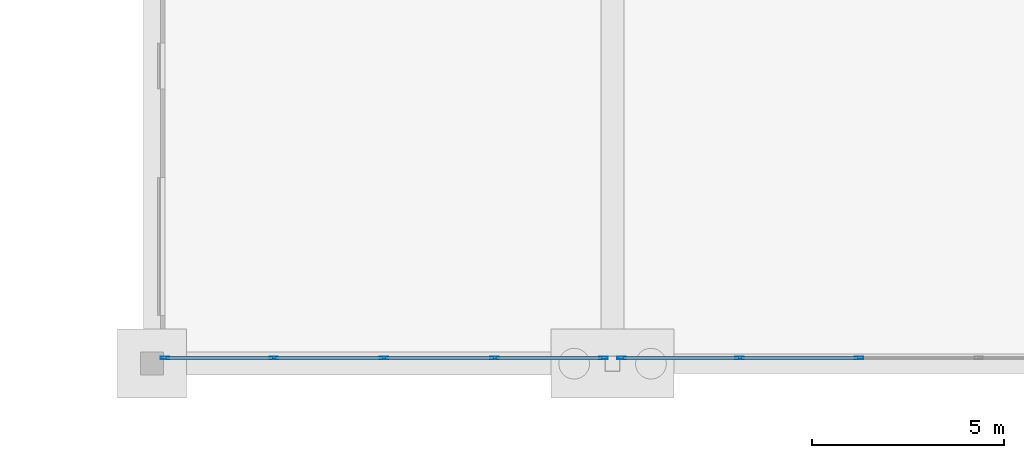
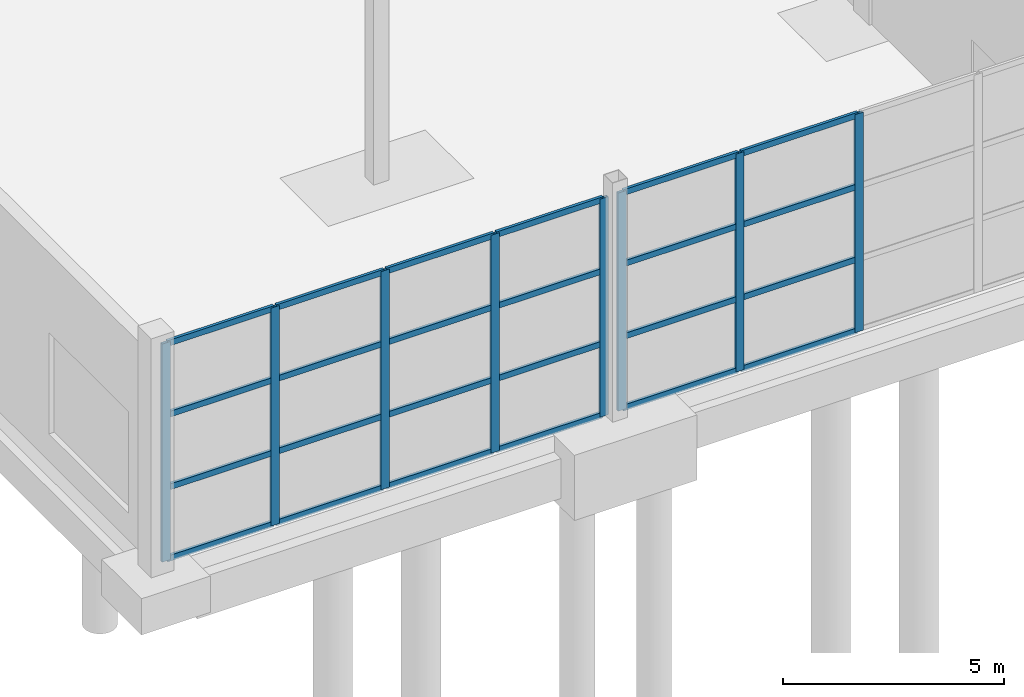
# One storey, part 65 of 115: 32 members, 2 elements without a shape of their own.
"""IFC4 building model written with IfcOpenShell, lengths in metres."""

from ifc_helpers import new_model, si_unit, direction, frame, origin, origin_2d, place, context, subcontext, project, spatial, hollow_rectangle, extrude, material, layer, layer_set, material_profile, profile_set, type_object, element, aggregate, save


model = new_model("IFC4")

# Units and contexts
model_context = context("Model", 3, precision=1e-05, world=origin(), true_north=direction((0.0, 1.0)))
body_context = subcontext(model_context, "Body", "Model", "MODEL_VIEW")
ifc_project = project(units=[si_unit("LENGTHUNIT", "METRE"), si_unit("AREAUNIT", "SQUARE_METRE"), si_unit("VOLUMEUNIT", "CUBIC_METRE"), si_unit("PLANEANGLEUNIT", "RADIAN"), si_unit("MASSUNIT", "GRAM", prefix="KILO")], contexts=[model_context])

# Site, building, storey
site_placement = place(None, origin())
site = spatial("IfcSite", under=ifc_project, at=site_placement, CompositionType="ELEMENT")
building_placement = place(site_placement, origin())
building = spatial("IfcBuilding", under=site, at=building_placement, Name="Tamarisk Ironworks Central Station", CompositionType="ELEMENT")
storey_placement = place(building_placement, origin())
storey = spatial("IfcBuildingStorey", under=building, at=storey_placement, Name="L00", CompositionType="ELEMENT", Elevation=0.0)

# Curtain wall, members
ifc_material = material(Name="Anodized aluminium alloy 6063-T6", Category="aluminium")
ifc_layer = layer(ifc_material, 0.179931640625)
ifc_layer_set = layer_set([ifc_layer], Name="Anodized aluminium alloy 6063-T6")
curtain_wall_type = type_object("IfcCurtainWallType", Name="CW-15", PredefinedType="USERDEFINED", material=ifc_layer_set)
curtain_wall_1_placement = place(storey_placement, origin())
curtain_wall_1 = element("IfcCurtainWall", 1, at=curtain_wall_1_placement, inside=storey, type_object=curtain_wall_type, Name="South-east annex L00 curtain wall 128", ObjectType="GLAZED CURTAIN WALL", PredefinedType="USERDEFINED")
ifc_material_profile_1 = material_profile(ifc_material, hollow_rectangle(XDim=0.074951171875, YDim=0.219970703125, WallThickness=0.00390625, at=origin_2d()), Name="ALUM 220x75")
ifc_profile_set_1 = profile_set([ifc_material_profile_1], Name="Anodized aluminium alloy 6063-T6")
member_type_1 = type_object("IfcMemberType", Name="CWM-01", PredefinedType="MULLION", material=ifc_profile_set_1)
member_1_placement = place(storey_placement, frame((128.33544921875, 0.14990234375, 0.0), z_axis=(0.0, 0.0, 1.0), x_axis=(0.0, 1.0, 0.0)))
member_1 = element("IfcMember", 2, at=member_1_placement, type_object=member_type_1, Name="CW15 mullion 1", PredefinedType="MULLION", context=body_context, shape_type="SweptSolid", body=[
    extrude(hollow_rectangle(XDim=0.074951171875, YDim=0.219970703125, WallThickness=0.00390625, at=origin_2d()), origin(), (0.0, 0.0, 1.0), 6.02001953125),
])
member_2_placement = place(storey_placement, frame((131.174072265625, 0.14990234375, 0.0), z_axis=(0.0, 0.0, 1.0), x_axis=(0.0, 1.0, 0.0)))
member_2 = element("IfcMember", 3, at=member_2_placement, type_object=member_type_1, Name="CW15 mullion 2", PredefinedType="MULLION", context=body_context, shape_type="SweptSolid", body=[
    extrude(hollow_rectangle(XDim=0.074951171875, YDim=0.219970703125, WallThickness=0.00390625, at=origin_2d()), origin(), (0.0, 0.0, 1.0), 6.02001953125),
])
member_3_placement = place(storey_placement, frame((134.050048828125, 0.14990234375, 0.0), z_axis=(0.0, 0.0, 1.0), x_axis=(0.0, 1.0, 0.0)))
member_3 = element("IfcMember", 4, at=member_3_placement, type_object=member_type_1, Name="CW15 mullion 3", PredefinedType="MULLION", context=body_context, shape_type="SweptSolid", body=[
    extrude(hollow_rectangle(XDim=0.074951171875, YDim=0.219970703125, WallThickness=0.00390625, at=origin_2d()), origin(), (0.0, 0.0, 1.0), 6.02001953125),
])
member_4_placement = place(storey_placement, frame((136.926025390625, 0.14990234375, 0.0), z_axis=(0.0, 0.0, 1.0), x_axis=(0.0, 1.0, 0.0)))
member_4 = element("IfcMember", 5, at=member_4_placement, type_object=member_type_1, Name="CW15 mullion 4", PredefinedType="MULLION", context=body_context, shape_type="SweptSolid", body=[
    extrude(hollow_rectangle(XDim=0.074951171875, YDim=0.219970703125, WallThickness=0.00390625, at=origin_2d()), origin(), (0.0, 0.0, 1.0), 6.02001953125),
])
member_5_placement = place(storey_placement, frame((139.764404296875, 0.14990234375, 0.0), z_axis=(0.0, 0.0, 1.0), x_axis=(0.0, 1.0, 0.0)))
member_5 = element("IfcMember", 6, at=member_5_placement, type_object=member_type_1, Name="CW15 mullion 5", PredefinedType="MULLION", context=body_context, shape_type="SweptSolid", body=[
    extrude(hollow_rectangle(XDim=0.074951171875, YDim=0.219970703125, WallThickness=0.00390625, at=origin_2d()), origin(), (0.0, 0.0, 1.0), 6.02001953125),
])

curtain_wall_2_placement = place(storey_placement, origin())
curtain_wall_2 = element("IfcCurtainWall", 7, at=curtain_wall_2_placement, inside=storey, type_object=curtain_wall_type, Name="South-east annex L00 curtain wall 140", ObjectType="GLAZED CURTAIN WALL", PredefinedType="USERDEFINED")
member_6_placement = place(storey_placement, frame((140.235595703125, 0.14990234375, 0.0), z_axis=(0.0, 0.0, 1.0), x_axis=(0.0, 1.0, 0.0)))
member_6 = element("IfcMember", 8, at=member_6_placement, type_object=member_type_1, Name="CW15 mullion 1", PredefinedType="MULLION", context=body_context, shape_type="SweptSolid", body=[
    extrude(hollow_rectangle(XDim=0.074951171875, YDim=0.219970703125, WallThickness=0.00390625, at=origin_2d()), origin(), (0.0, 0.0, 1.0), 6.02001953125),
])
member_7_placement = place(storey_placement, frame((143.3115234375, 0.14990234375, 0.0), z_axis=(0.0, 0.0, 1.0), x_axis=(0.0, 1.0, 0.0)))
member_7 = element("IfcMember", 9, at=member_7_placement, type_object=member_type_1, Name="CW15 mullion 2", PredefinedType="MULLION", context=body_context, shape_type="SweptSolid", body=[
    extrude(hollow_rectangle(XDim=0.074951171875, YDim=0.219970703125, WallThickness=0.00390625, at=origin_2d()), origin(), (0.0, 0.0, 1.0), 6.02001953125),
])
member_8_placement = place(storey_placement, frame((146.425048828125, 0.14990234375, 0.0), z_axis=(0.0, 0.0, 1.0), x_axis=(0.0, 1.0, 0.0)))
member_8 = element("IfcMember", 10, at=member_8_placement, type_object=member_type_1, Name="CW15 mullion 3", PredefinedType="MULLION", context=body_context, shape_type="SweptSolid", body=[
    extrude(hollow_rectangle(XDim=0.074951171875, YDim=0.219970703125, WallThickness=0.00390625, at=origin_2d()), origin(), (0.0, 0.0, 1.0), 6.02001953125),
])

# Member
ifc_material_profile_2 = material_profile(ifc_material, hollow_rectangle(XDim=0.074951171875, YDim=0.159912109375, WallThickness=0.00390625, at=origin_2d()), Name="ALUM 160x75")
ifc_profile_set_2 = profile_set([ifc_material_profile_2], Name="Anodized aluminium alloy 6063-T6")
member_type_2 = type_object("IfcMemberType", Name="CWT-01", PredefinedType="USERDEFINED", material=ifc_profile_set_2)
member_9_placement = place(storey_placement, frame((128.368896484375, 0.14990234375, 0.03759765625), z_axis=(1.0, 0.0, 0.0), x_axis=(0.0, 1.0, 0.0)))
member_9 = element("IfcMember", 11, at=member_9_placement, type_object=member_type_2, Name="CW15 transom 1.1", ObjectType="TRANSOM", PredefinedType="USERDEFINED", context=body_context, shape_type="SweptSolid", body=[
    extrude(hollow_rectangle(XDim=0.074951171875, YDim=0.159912109375, WallThickness=0.00390625, at=origin_2d()), origin(), (0.0, 0.0, 1.0), 2.771484375),
])

member_10_placement = place(storey_placement, frame((128.368896484375, 0.14990234375, 2.006591796875), z_axis=(1.0, 0.0, 0.0), x_axis=(0.0, 1.0, 0.0)))
member_10 = element("IfcMember", 12, at=member_10_placement, type_object=member_type_2, Name="CW15 transom 1.2", ObjectType="TRANSOM", PredefinedType="USERDEFINED", context=body_context, shape_type="SweptSolid", body=[
    extrude(hollow_rectangle(XDim=0.074951171875, YDim=0.159912109375, WallThickness=0.00390625, at=origin_2d()), origin(), (0.0, 0.0, 1.0), 2.771484375),
])

member_11_placement = place(storey_placement, frame((128.368896484375, 0.14990234375, 4.01318359375), z_axis=(1.0, 0.0, 0.0), x_axis=(0.0, 1.0, 0.0)))
member_11 = element("IfcMember", 13, at=member_11_placement, type_object=member_type_2, Name="CW15 transom 1.3", ObjectType="TRANSOM", PredefinedType="USERDEFINED", context=body_context, shape_type="SweptSolid", body=[
    extrude(hollow_rectangle(XDim=0.074951171875, YDim=0.159912109375, WallThickness=0.00390625, at=origin_2d()), origin(), (0.0, 0.0, 1.0), 2.771484375),
])

member_12_placement = place(storey_placement, frame((128.368896484375, 0.14990234375, 5.982421875), z_axis=(1.0, 0.0, 0.0), x_axis=(0.0, 1.0, 0.0)))
member_12 = element("IfcMember", 14, at=member_12_placement, type_object=member_type_2, Name="CW15 transom 1.4", ObjectType="TRANSOM", PredefinedType="USERDEFINED", context=body_context, shape_type="SweptSolid", body=[
    extrude(hollow_rectangle(XDim=0.074951171875, YDim=0.159912109375, WallThickness=0.00390625, at=origin_2d()), origin(), (0.0, 0.0, 1.0), 2.771484375),
])

member_13_placement = place(storey_placement, frame((131.20751953125, 0.14990234375, 0.03759765625), z_axis=(1.0, 0.0, 0.0), x_axis=(0.0, 1.0, 0.0)))
member_13 = element("IfcMember", 15, at=member_13_placement, type_object=member_type_2, Name="CW15 transom 2.1", ObjectType="TRANSOM", PredefinedType="USERDEFINED", context=body_context, shape_type="SweptSolid", body=[
    extrude(hollow_rectangle(XDim=0.074951171875, YDim=0.159912109375, WallThickness=0.00390625, at=origin_2d()), origin(), (0.0, 0.0, 1.0), 2.80908203125),
])

member_14_placement = place(storey_placement, frame((131.20751953125, 0.14990234375, 2.006591796875), z_axis=(1.0, 0.0, 0.0), x_axis=(0.0, 1.0, 0.0)))
member_14 = element("IfcMember", 16, at=member_14_placement, type_object=member_type_2, Name="CW15 transom 2.2", ObjectType="TRANSOM", PredefinedType="USERDEFINED", context=body_context, shape_type="SweptSolid", body=[
    extrude(hollow_rectangle(XDim=0.074951171875, YDim=0.159912109375, WallThickness=0.00390625, at=origin_2d()), origin(), (0.0, 0.0, 1.0), 2.80908203125),
])

member_15_placement = place(storey_placement, frame((131.20751953125, 0.14990234375, 4.01318359375), z_axis=(1.0, 0.0, 0.0), x_axis=(0.0, 1.0, 0.0)))
member_15 = element("IfcMember", 17, at=member_15_placement, type_object=member_type_2, Name="CW15 transom 2.3", ObjectType="TRANSOM", PredefinedType="USERDEFINED", context=body_context, shape_type="SweptSolid", body=[
    extrude(hollow_rectangle(XDim=0.074951171875, YDim=0.159912109375, WallThickness=0.00390625, at=origin_2d()), origin(), (0.0, 0.0, 1.0), 2.80908203125),
])

member_16_placement = place(storey_placement, frame((131.20751953125, 0.14990234375, 5.982421875), z_axis=(1.0, 0.0, 0.0), x_axis=(0.0, 1.0, 0.0)))
member_16 = element("IfcMember", 18, at=member_16_placement, type_object=member_type_2, Name="CW15 transom 2.4", ObjectType="TRANSOM", PredefinedType="USERDEFINED", context=body_context, shape_type="SweptSolid", body=[
    extrude(hollow_rectangle(XDim=0.074951171875, YDim=0.159912109375, WallThickness=0.00390625, at=origin_2d()), origin(), (0.0, 0.0, 1.0), 2.80908203125),
])

member_17_placement = place(storey_placement, frame((134.08349609375, 0.14990234375, 0.03759765625), z_axis=(1.0, 0.0, 0.0), x_axis=(0.0, 1.0, 0.0)))
member_17 = element("IfcMember", 19, at=member_17_placement, type_object=member_type_2, Name="CW15 transom 3.1", ObjectType="TRANSOM", PredefinedType="USERDEFINED", context=body_context, shape_type="SweptSolid", body=[
    extrude(hollow_rectangle(XDim=0.074951171875, YDim=0.159912109375, WallThickness=0.00390625, at=origin_2d()), origin(), (0.0, 0.0, 1.0), 2.80908203125),
])

member_18_placement = place(storey_placement, frame((134.08349609375, 0.14990234375, 2.006591796875), z_axis=(1.0, 0.0, 0.0), x_axis=(0.0, 1.0, 0.0)))
member_18 = element("IfcMember", 20, at=member_18_placement, type_object=member_type_2, Name="CW15 transom 3.2", ObjectType="TRANSOM", PredefinedType="USERDEFINED", context=body_context, shape_type="SweptSolid", body=[
    extrude(hollow_rectangle(XDim=0.074951171875, YDim=0.159912109375, WallThickness=0.00390625, at=origin_2d()), origin(), (0.0, 0.0, 1.0), 2.80908203125),
])

member_19_placement = place(storey_placement, frame((134.08349609375, 0.14990234375, 4.01318359375), z_axis=(1.0, 0.0, 0.0), x_axis=(0.0, 1.0, 0.0)))
member_19 = element("IfcMember", 21, at=member_19_placement, type_object=member_type_2, Name="CW15 transom 3.3", ObjectType="TRANSOM", PredefinedType="USERDEFINED", context=body_context, shape_type="SweptSolid", body=[
    extrude(hollow_rectangle(XDim=0.074951171875, YDim=0.159912109375, WallThickness=0.00390625, at=origin_2d()), origin(), (0.0, 0.0, 1.0), 2.80908203125),
])

member_20_placement = place(storey_placement, frame((134.08349609375, 0.14990234375, 5.982421875), z_axis=(1.0, 0.0, 0.0), x_axis=(0.0, 1.0, 0.0)))
member_20 = element("IfcMember", 22, at=member_20_placement, type_object=member_type_2, Name="CW15 transom 3.4", ObjectType="TRANSOM", PredefinedType="USERDEFINED", context=body_context, shape_type="SweptSolid", body=[
    extrude(hollow_rectangle(XDim=0.074951171875, YDim=0.159912109375, WallThickness=0.00390625, at=origin_2d()), origin(), (0.0, 0.0, 1.0), 2.80908203125),
])

member_21_placement = place(storey_placement, frame((136.95947265625, 0.14990234375, 0.03759765625), z_axis=(1.0, 0.0, 0.0), x_axis=(0.0, 1.0, 0.0)))
member_21 = element("IfcMember", 23, at=member_21_placement, type_object=member_type_2, Name="CW15 transom 4.1", ObjectType="TRANSOM", PredefinedType="USERDEFINED", context=body_context, shape_type="SweptSolid", body=[
    extrude(hollow_rectangle(XDim=0.074951171875, YDim=0.159912109375, WallThickness=0.00390625, at=origin_2d()), origin(), (0.0, 0.0, 1.0), 2.771484375),
])

member_22_placement = place(storey_placement, frame((136.95947265625, 0.14990234375, 2.006591796875), z_axis=(1.0, 0.0, 0.0), x_axis=(0.0, 1.0, 0.0)))
member_22 = element("IfcMember", 24, at=member_22_placement, type_object=member_type_2, Name="CW15 transom 4.2", ObjectType="TRANSOM", PredefinedType="USERDEFINED", context=body_context, shape_type="SweptSolid", body=[
    extrude(hollow_rectangle(XDim=0.074951171875, YDim=0.159912109375, WallThickness=0.00390625, at=origin_2d()), origin(), (0.0, 0.0, 1.0), 2.771484375),
])

member_23_placement = place(storey_placement, frame((136.95947265625, 0.14990234375, 4.01318359375), z_axis=(1.0, 0.0, 0.0), x_axis=(0.0, 1.0, 0.0)))
member_23 = element("IfcMember", 25, at=member_23_placement, type_object=member_type_2, Name="CW15 transom 4.3", ObjectType="TRANSOM", PredefinedType="USERDEFINED", context=body_context, shape_type="SweptSolid", body=[
    extrude(hollow_rectangle(XDim=0.074951171875, YDim=0.159912109375, WallThickness=0.00390625, at=origin_2d()), origin(), (0.0, 0.0, 1.0), 2.771484375),
])

member_24_placement = place(storey_placement, frame((136.95947265625, 0.14990234375, 5.982421875), z_axis=(1.0, 0.0, 0.0), x_axis=(0.0, 1.0, 0.0)))
member_24 = element("IfcMember", 26, at=member_24_placement, type_object=member_type_2, Name="CW15 transom 4.4", ObjectType="TRANSOM", PredefinedType="USERDEFINED", context=body_context, shape_type="SweptSolid", body=[
    extrude(hollow_rectangle(XDim=0.074951171875, YDim=0.159912109375, WallThickness=0.00390625, at=origin_2d()), origin(), (0.0, 0.0, 1.0), 2.771484375),
])

aggregate(curtain_wall_1, [member_1, member_2, member_3, member_4, member_5, member_9, member_10, member_11, member_12, member_13, member_14, member_15, member_16, member_17, member_18, member_19, member_20, member_21, member_22, member_23, member_24])

member_25_placement = place(storey_placement, frame((140.26904296875, 0.14990234375, 0.03759765625), z_axis=(1.0, 0.0, 0.0), x_axis=(0.0, 1.0, 0.0)))
member_25 = element("IfcMember", 27, at=member_25_placement, type_object=member_type_2, Name="CW15 transom 1.1", ObjectType="TRANSOM", PredefinedType="USERDEFINED", context=body_context, shape_type="SweptSolid", body=[
    extrude(hollow_rectangle(XDim=0.074951171875, YDim=0.159912109375, WallThickness=0.00390625, at=origin_2d()), origin(), (0.0, 0.0, 1.0), 3.009033203125),
])

member_26_placement = place(storey_placement, frame((140.26904296875, 0.14990234375, 2.006591796875), z_axis=(1.0, 0.0, 0.0), x_axis=(0.0, 1.0, 0.0)))
member_26 = element("IfcMember", 28, at=member_26_placement, type_object=member_type_2, Name="CW15 transom 1.2", ObjectType="TRANSOM", PredefinedType="USERDEFINED", context=body_context, shape_type="SweptSolid", body=[
    extrude(hollow_rectangle(XDim=0.074951171875, YDim=0.159912109375, WallThickness=0.00390625, at=origin_2d()), origin(), (0.0, 0.0, 1.0), 3.009033203125),
])

member_27_placement = place(storey_placement, frame((140.26904296875, 0.14990234375, 4.01318359375), z_axis=(1.0, 0.0, 0.0), x_axis=(0.0, 1.0, 0.0)))
member_27 = element("IfcMember", 29, at=member_27_placement, type_object=member_type_2, Name="CW15 transom 1.3", ObjectType="TRANSOM", PredefinedType="USERDEFINED", context=body_context, shape_type="SweptSolid", body=[
    extrude(hollow_rectangle(XDim=0.074951171875, YDim=0.159912109375, WallThickness=0.00390625, at=origin_2d()), origin(), (0.0, 0.0, 1.0), 3.009033203125),
])

member_28_placement = place(storey_placement, frame((140.26904296875, 0.14990234375, 5.982421875), z_axis=(1.0, 0.0, 0.0), x_axis=(0.0, 1.0, 0.0)))
member_28 = element("IfcMember", 30, at=member_28_placement, type_object=member_type_2, Name="CW15 transom 1.4", ObjectType="TRANSOM", PredefinedType="USERDEFINED", context=body_context, shape_type="SweptSolid", body=[
    extrude(hollow_rectangle(XDim=0.074951171875, YDim=0.159912109375, WallThickness=0.00390625, at=origin_2d()), origin(), (0.0, 0.0, 1.0), 3.009033203125),
])

member_29_placement = place(storey_placement, frame((143.344970703125, 0.14990234375, 0.03759765625), z_axis=(1.0, 0.0, 0.0), x_axis=(0.0, 1.0, 0.0)))
member_29 = element("IfcMember", 31, at=member_29_placement, type_object=member_type_2, Name="CW15 transom 2.1", ObjectType="TRANSOM", PredefinedType="USERDEFINED", context=body_context, shape_type="SweptSolid", body=[
    extrude(hollow_rectangle(XDim=0.074951171875, YDim=0.159912109375, WallThickness=0.00390625, at=origin_2d()), origin(), (0.0, 0.0, 1.0), 3.046630859375),
])

member_30_placement = place(storey_placement, frame((143.344970703125, 0.14990234375, 2.006591796875), z_axis=(1.0, 0.0, 0.0), x_axis=(0.0, 1.0, 0.0)))
member_30 = element("IfcMember", 32, at=member_30_placement, type_object=member_type_2, Name="CW15 transom 2.2", ObjectType="TRANSOM", PredefinedType="USERDEFINED", context=body_context, shape_type="SweptSolid", body=[
    extrude(hollow_rectangle(XDim=0.074951171875, YDim=0.159912109375, WallThickness=0.00390625, at=origin_2d()), origin(), (0.0, 0.0, 1.0), 3.046630859375),
])

member_31_placement = place(storey_placement, frame((143.344970703125, 0.14990234375, 4.01318359375), z_axis=(1.0, 0.0, 0.0), x_axis=(0.0, 1.0, 0.0)))
member_31 = element("IfcMember", 33, at=member_31_placement, type_object=member_type_2, Name="CW15 transom 2.3", ObjectType="TRANSOM", PredefinedType="USERDEFINED", context=body_context, shape_type="SweptSolid", body=[
    extrude(hollow_rectangle(XDim=0.074951171875, YDim=0.159912109375, WallThickness=0.00390625, at=origin_2d()), origin(), (0.0, 0.0, 1.0), 3.046630859375),
])

member_32_placement = place(storey_placement, frame((143.344970703125, 0.14990234375, 5.982421875), z_axis=(1.0, 0.0, 0.0), x_axis=(0.0, 1.0, 0.0)))
member_32 = element("IfcMember", 34, at=member_32_placement, type_object=member_type_2, Name="CW15 transom 2.4", ObjectType="TRANSOM", PredefinedType="USERDEFINED", context=body_context, shape_type="SweptSolid", body=[
    extrude(hollow_rectangle(XDim=0.074951171875, YDim=0.159912109375, WallThickness=0.00390625, at=origin_2d()), origin(), (0.0, 0.0, 1.0), 3.046630859375),
])

aggregate(curtain_wall_2, [member_6, member_7, member_8, member_25, member_26, member_27, member_28, member_29, member_30, member_31, member_32])

save(model, "model.ifc")
